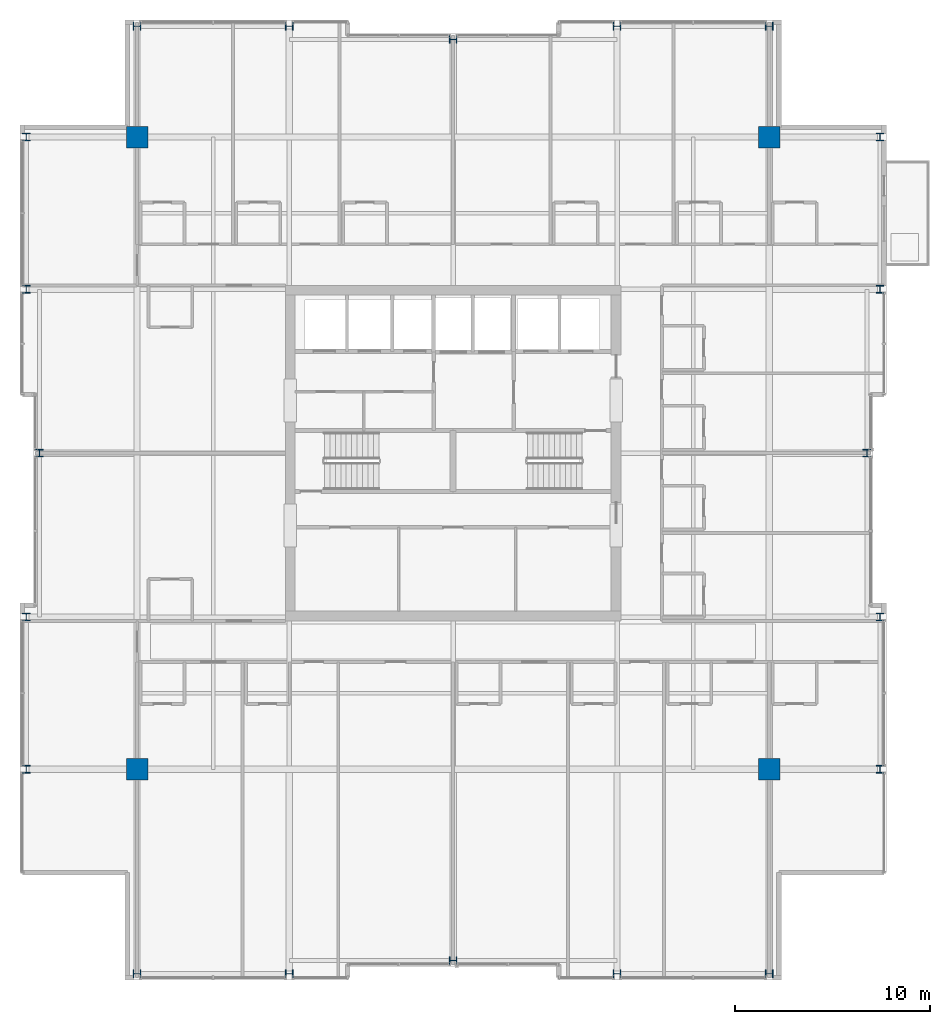
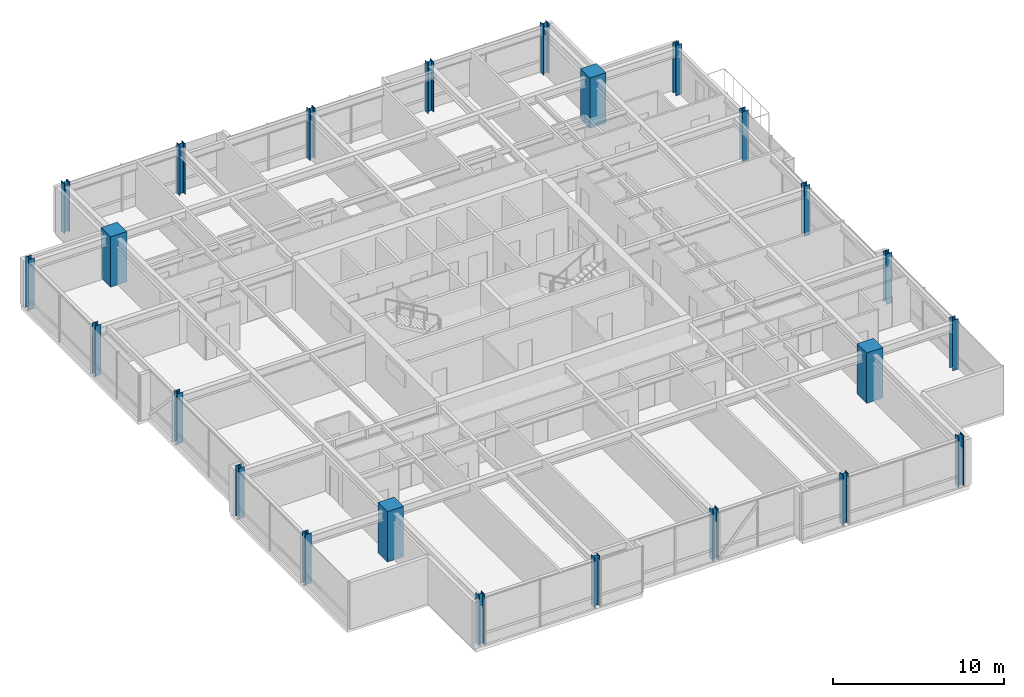
# One storey, part 1 of 33: 24 columns.
"""IFC4 building model written with IfcOpenShell, lengths in metres."""

import ifcopenshell
import ifcopenshell.guid

model = None  # the IFC model being written
_history = None  # IfcOwnerHistory: only IFC2X3 demands one
_inside = {}  # id of a spatial element -> (the spatial element, [elements in it])
_under = {}  # id of a project, library or spatial element -> (it, [spatial elements below it])
_declared = {}  # id of a project -> (the project, [libraries it declares])
_typed = {}  # id of a type object -> (the type object, [elements of that type])
_made_of = {}  # id of a material, layer set ... -> (it, [elements and type objects made of it])


def new_model(schema):
    """Start an empty IFC model of exactly this schema.

    Asked for "IFC4X3", IfcOpenShell would pick the latest addendum, in which some entities
    have other attributes; the version numbers below select the first issue.
    IFC2X3 requires an IfcOwnerHistory on every rooted entity: one is made here for all.
    """
    global model, _history
    if schema == "IFC4X3":
        model = ifcopenshell.file(schema_version=(4, 3, 0, 0))
    else:
        model = ifcopenshell.file(schema=schema)
    _inside.clear()
    _under.clear()
    _declared.clear()
    _typed.clear()
    _made_of.clear()
    _history = None
    if model.schema == "IFC2X3":
        org = make("IfcOrganization", Name="unknown")
        user = make(
            "IfcPersonAndOrganization",
            ThePerson=make("IfcPerson", FamilyName="unknown"),
            TheOrganization=org,
        )
        app = make(
            "IfcApplication",
            ApplicationDeveloper=org,
            Version="unknown",
            ApplicationFullName="unknown",
            ApplicationIdentifier="unknown",
        )
        _history = make(
            "IfcOwnerHistory",
            OwningUser=user,
            OwningApplication=app,
            ChangeAction="ADDED",
            CreationDate=0,
        )
    return model


def make(cls, **values):
    """One entity of the class cls with the attributes given. An attribute that is None is left unset."""
    return model.create_entity(
        cls, **{name: value for name, value in values.items() if value is not None}
    )


def rooted(cls, **values):
    """An entity with a GlobalId (a new one), such as an element, a storey or a relation."""
    return make(cls, GlobalId=ifcopenshell.guid.new(), OwnerHistory=_history, **values)


def si_unit(unit_type, name, prefix=None):
    """IfcSIUnit, for example si_unit("LENGTHUNIT", "METRE", prefix="MILLI")."""
    return make("IfcSIUnit", UnitType=unit_type, Prefix=prefix, Name=name)


def assignment(units):
    """IfcUnitAssignment: the units of a project."""
    return None if units is None else make("IfcUnitAssignment", Units=units)


def point(xyz):
    """IfcCartesianPoint."""
    return None if xyz is None else make("IfcCartesianPoint", Coordinates=xyz)


def direction(xyz):
    """IfcDirection."""
    return None if xyz is None else make("IfcDirection", DirectionRatios=xyz)


def frame(location, z_axis=None, x_axis=None):
    """IfcAxis2Placement3D, a coordinate frame: its origin and axes. An axis left out is left unset."""
    return make(
        "IfcAxis2Placement3D",
        Location=point(location),
        Axis=direction(z_axis),
        RefDirection=direction(x_axis),
    )


def frame_2d(location, x_axis=None):
    """IfcAxis2Placement2D, a coordinate frame in the plane: its origin and x axis."""
    return make(
        "IfcAxis2Placement2D", Location=point(location), RefDirection=direction(x_axis)
    )


def origin():
    """The frame at (0, 0, 0) with its axes left unset."""
    return frame((0.0, 0.0, 0.0))


def origin_2d():
    """The frame at (0, 0) in the plane with its x axis left unset."""
    return frame_2d((0.0, 0.0))


def place(relative_to, where):
    """IfcLocalPlacement: puts the frame where relative to a parent placement (None: the world)."""
    return make(
        "IfcLocalPlacement", PlacementRelTo=relative_to, RelativePlacement=where
    )


def context(
    kind, dimensions, precision=None, world=None, true_north=None, identifier=None
):
    """IfcGeometricRepresentationContext, for example the 3D "Model" context."""
    return make(
        "IfcGeometricRepresentationContext",
        ContextIdentifier=identifier,
        ContextType=kind,
        CoordinateSpaceDimension=dimensions,
        Precision=precision,
        WorldCoordinateSystem=world,
        TrueNorth=true_north,
    )


def subcontext(parent, identifier, kind, view, scale=None):
    """IfcGeometricRepresentationSubContext, for example "Body" below "Model"."""
    return make(
        "IfcGeometricRepresentationSubContext",
        ContextIdentifier=identifier,
        ContextType=kind,
        ParentContext=parent,
        TargetScale=scale,
        TargetView=view,
    )


def project(units=None, contexts=None):
    """IfcProject with its units and contexts."""
    return rooted(
        "IfcProject",
        Name="project",
        RepresentationContexts=contexts,
        UnitsInContext=assignment(units),
    )


def spatial(cls, under=None, at=None, **own):
    """A site, building, storey or space (cls), placed at a placement, below another one or the project."""
    s = rooted(cls, ObjectPlacement=at, **own)
    if under is not None:
        _under.setdefault(under.id(), (under, []))[1].append(s)
    return s


def profile(cls, at=None, kind="AREA", **sizes):
    """A parametric profile (cls). Its sizes go by their IFC names, for example OverallWidth=200.0."""
    return make(cls, ProfileType=kind, Position=at, **sizes)


def rectangle(**sizes):
    """IfcRectangleProfileDef."""
    return profile("IfcRectangleProfileDef", **sizes)


def i_section(**sizes):
    """IfcIShapeProfileDef."""
    return profile("IfcIShapeProfileDef", **sizes)


def extrude(swept, where, along, depth):
    """IfcExtrudedAreaSolid: the profile swept, set in the frame where, extruded along a direction by depth."""
    return make(
        "IfcExtrudedAreaSolid",
        SweptArea=swept,
        Position=where,
        ExtrudedDirection=direction(along),
        Depth=depth,
    )


def shape(context_of_items, identifier, shape_type, items):
    """IfcShapeRepresentation: the items that make up one representation, for example the "Body"."""
    return make(
        "IfcShapeRepresentation",
        ContextOfItems=context_of_items,
        RepresentationIdentifier=identifier,
        RepresentationType=shape_type,
        Items=items,
    )


def material(Name=None, Category=None):
    """IfcMaterial."""
    return make("IfcMaterial", Name=Name, Category=Category)


def material_profile(
    of_material, cross_section, Name=None, Category=None, Priority=None
):
    """IfcMaterialProfile: a cross section and its material."""
    return make(
        "IfcMaterialProfile",
        Name=Name,
        Material=of_material,
        Profile=cross_section,
        Priority=Priority,
        Category=Category,
    )


def profile_set(profiles, Name=None, composite=None):
    """IfcMaterialProfileSet."""
    return make(
        "IfcMaterialProfileSet",
        Name=Name,
        MaterialProfiles=profiles,
        CompositeProfile=composite,
    )


def made_of(thing, what):
    """Note that an element or type object is made of a material, layer set ...; save() writes the relation."""
    if what is not None:
        _made_of.setdefault(what.id(), (what, []))[1].append(thing)
    return thing


def type_object(cls, material=None, **own):
    """A type object (cls), such as IfcWallType, which elements share."""
    return made_of(rooted(cls, **own), material)


def element(
    cls,
    number,
    at=None,
    inside=None,
    cuts=None,
    type_object=None,
    material=None,
    context=None,
    identifier="Body",
    shape_type=None,
    held_by="IfcProductDefinitionShape",
    body=None,
    shapes=None,
    **own,
):
    """One element of the class cls, such as IfcWall. Its Tag is "e" and its number.

    at: its placement. inside: the storey or other place that contains it. cuts: it is an
    opening in that element (IfcRelVoidsElement). A single representation is given by context,
    identifier, shape_type and body (its items); several are given by shapes. held_by: the class
    of the entity that holds the representations. save() writes the other relations.
    """
    e = rooted(cls, Tag="e%d" % number, ObjectPlacement=at, **own)
    if body is not None:
        shapes = [shape(context, identifier, shape_type, body)]
    if shapes is not None:
        e.Representation = make(held_by, Representations=shapes)
    if inside is not None:
        _inside.setdefault(inside.id(), (inside, []))[1].append(e)
    if cuts is not None:
        rooted(
            "IfcRelVoidsElement", RelatingBuildingElement=cuts, RelatedOpeningElement=e
        )
    if type_object is not None:
        _typed.setdefault(type_object.id(), (type_object, []))[1].append(e)
    return made_of(e, material)


def aggregate(whole, parts):
    """IfcRelAggregates: a whole, such as a stair, and the parts it consists of."""
    return rooted("IfcRelAggregates", RelatingObject=whole, RelatedObjects=parts)


def save(model, path):
    """Write the relations noted so far, then the file.

    IfcRelAggregates (storeys below a building ...), IfcRelContainedInSpatialStructure (elements
    in a storey), IfcRelDefinesByType, IfcRelAssociatesMaterial and IfcRelDeclares: one each for
    every whole, place, type object, material and project.
    """
    for whole, parts in _under.values():
        aggregate(whole, parts)
    for where, things in _inside.values():
        rooted(
            "IfcRelContainedInSpatialStructure",
            RelatedElements=things,
            RelatingStructure=where,
        )
    for kind, things in _typed.values():
        rooted("IfcRelDefinesByType", RelatedObjects=things, RelatingType=kind)
    for what, things in _made_of.values():
        rooted("IfcRelAssociatesMaterial", RelatedObjects=things, RelatingMaterial=what)
    for by, libraries in _declared.values():
        rooted("IfcRelDeclares", RelatingContext=by, RelatedDefinitions=libraries)
    model.write(path)


model = new_model("IFC4")

# Units and contexts
model_context = context("Model", 3, precision=1e-05, world=origin(), true_north=direction((0.0, 1.0)))
body_context = subcontext(model_context, "Body", "Model", "MODEL_VIEW")
ifc_project = project(units=[si_unit("LENGTHUNIT", "METRE"), si_unit("AREAUNIT", "SQUARE_METRE"), si_unit("VOLUMEUNIT", "CUBIC_METRE"), si_unit("PLANEANGLEUNIT", "RADIAN"), si_unit("MASSUNIT", "GRAM", prefix="KILO")], contexts=[model_context])

# Site, building, storey
site_placement = place(None, origin())
site = spatial("IfcSite", under=ifc_project, at=site_placement, CompositionType="ELEMENT")
building_placement = place(site_placement, origin())
building = spatial("IfcBuilding", under=site, at=building_placement, Name="Drelvath Grand Hotel", CompositionType="ELEMENT")
storey_placement = place(building_placement, frame((0.0, 0.0, 212.300048828125)))
storey = spatial("IfcBuildingStorey", under=building, at=storey_placement, Name="L55", CompositionType="ELEMENT", Elevation=212.300048828125)

# Columns
ifc_material_1 = material(Name="Concrete f'c 55 MPa", Category="concrete")
ifc_material_profile_1 = material_profile(ifc_material_1, rectangle(XDim=1.10009765625, YDim=1.10009765625, at=origin_2d()), Name="MC1100X1100")
ifc_profile_set_1 = profile_set([ifc_material_profile_1], Name="Concrete f'c 55 MPa")
column_type_1 = type_object("IfcColumnType", Name="Composite Mega Column MC1100X1100", PredefinedType="COLUMN", material=ifc_profile_set_1)
for number, where, z_axis, x_axis, name in (
    (1, (-16.199951171875, 10.800048828125, 0.0), (0.0, 0.0, 1.0), (1.0, 0.0, 0.0), "L55 Composite Mega Column MC-SW"),
    (2, (16.199951171875, 10.800048828125, 0.0), (0.0, 0.0, 1.0), (1.0, 0.0, 0.0), "L55 Composite Mega Column MC-SE"),
    (3, (-16.199951171875, 43.199951171875, 0.0), (0.0, 0.0, 1.0), (1.0, 0.0, 0.0), "L55 Composite Mega Column MC-NW"),
    (4, (16.199951171875, 43.199951171875, 0.0), (0.0, 0.0, 1.0), (1.0, 0.0, 0.0), "L55 Composite Mega Column MC-NE"),
):
    element("IfcColumn", number, at=place(storey_placement, frame(where, z_axis=z_axis, x_axis=x_axis)), inside=storey, type_object=column_type_1, Name=name, PredefinedType="COLUMN", context=body_context, shape_type="SweptSolid", body=[
        extrude(rectangle(XDim=1.10009765625, YDim=1.10009765625, at=origin_2d()), origin(), (0.0, 0.0, 1.0), 3.599853515625),
    ])
ifc_material_2 = material(Name="Steel ASTM A913 Gr 65", Category="steel")
ifc_material_profile_2 = material_profile(ifc_material_2, i_section(OverallWidth=0.3974609375, OverallDepth=0.38671875, WebThickness=0.02099609375, FlangeThickness=0.033203125, FilletRadius=0.02490234375, at=origin_2d()), Name="W14X176")
ifc_profile_set_2 = profile_set([ifc_material_profile_2], Name="Steel ASTM A913 Gr 65")
column_type_2 = type_object("IfcColumnType", Name="Perimeter Steel Column W14X176", PredefinedType="COLUMN", material=ifc_profile_set_2)
for number, where, z_axis, x_axis, name in (
    (5, (-21.8798828125, 10.800048828125, 0.0), (0.0, 0.0, 1.0), (1.0, 0.0, 0.0), "L55 Structural Column TCW-C"),
    (6, (21.8798828125, 10.800048828125, 0.0), (0.0, 0.0, 1.0), (1.0, 0.0, 0.0), "L55 Structural Column TCE-C"),
    (7, (-21.8798828125, 18.60009765625, 0.0), (0.0, 0.0, 1.0), (1.0, 0.0, 0.0), "L55 Structural Column TCW-D"),
    (8, (21.8798828125, 18.60009765625, 0.0), (0.0, 0.0, 1.0), (1.0, 0.0, 0.0), "L55 Structural Column TCE-D"),
    (9, (-21.199951171875, 27.0, 0.0), (0.0, 0.0, 1.0), (1.0, 0.0, 0.0), "L55 Structural Column TCW-E"),
    (10, (21.199951171875, 27.0, 0.0), (0.0, 0.0, 1.0), (1.0, 0.0, 0.0), "L55 Structural Column TCE-E"),
    (11, (-21.8798828125, 35.39990234375, 0.0), (0.0, 0.0, 1.0), (1.0, 0.0, 0.0), "L55 Structural Column TCW-F"),
    (12, (21.8798828125, 35.39990234375, 0.0), (0.0, 0.0, 1.0), (1.0, 0.0, 0.0), "L55 Structural Column TCE-F"),
    (13, (-21.8798828125, 43.199951171875, 0.0), (0.0, 0.0, 1.0), (1.0, 0.0, 0.0), "L55 Structural Column TCW-G"),
    (14, (21.8798828125, 43.199951171875, 0.0), (0.0, 0.0, 1.0), (1.0, 0.0, 0.0), "L55 Structural Column TCE-G"),
    (15, (-16.199951171875, 0.320068359375, 0.0), (0.0, 0.0, 1.0), (0.0, 1.0, 0.0), "L55 Structural Column TCS-3"),
    (16, (-16.199951171875, 48.8798828125, 0.0), (0.0, 0.0, 1.0), (0.0, 1.0, 0.0), "L55 Structural Column TCN-3"),
    (17, (-8.39990234375, 0.320068359375, 0.0), (0.0, 0.0, 1.0), (0.0, 1.0, 0.0), "L55 Structural Column TCS-4"),
    (18, (-8.39990234375, 48.8798828125, 0.0), (0.0, 0.0, 1.0), (0.0, 1.0, 0.0), "L55 Structural Column TCN-4"),
    (19, (0.0, 1.0, 0.0), (0.0, 0.0, 1.0), (0.0, 1.0, 0.0), "L55 Structural Column TCS-5"),
    (20, (0.0, 48.199951171875, 0.0), (0.0, 0.0, 1.0), (0.0, 1.0, 0.0), "L55 Structural Column TCN-5"),
    (21, (8.39990234375, 0.320068359375, 0.0), (0.0, 0.0, 1.0), (0.0, 1.0, 0.0), "L55 Structural Column TCS-6"),
    (22, (8.39990234375, 48.8798828125, 0.0), (0.0, 0.0, 1.0), (0.0, 1.0, 0.0), "L55 Structural Column TCN-6"),
    (23, (16.199951171875, 0.320068359375, 0.0), (0.0, 0.0, 1.0), (0.0, 1.0, 0.0), "L55 Structural Column TCS-7"),
    (24, (16.199951171875, 48.8798828125, 0.0), (0.0, 0.0, 1.0), (0.0, 1.0, 0.0), "L55 Structural Column TCN-7"),
):
    element("IfcColumn", number, at=place(storey_placement, frame(where, z_axis=z_axis, x_axis=x_axis)), inside=storey, type_object=column_type_2, Name=name, PredefinedType="COLUMN", context=body_context, shape_type="SweptSolid", body=[
        extrude(i_section(OverallWidth=0.3974609375, OverallDepth=0.38671875, WebThickness=0.02099609375, FlangeThickness=0.033203125, FilletRadius=0.02490234375, at=origin_2d()), origin(), (0.0, 0.0, 1.0), 3.596923828125),
    ])

save(model, "model.ifc")
